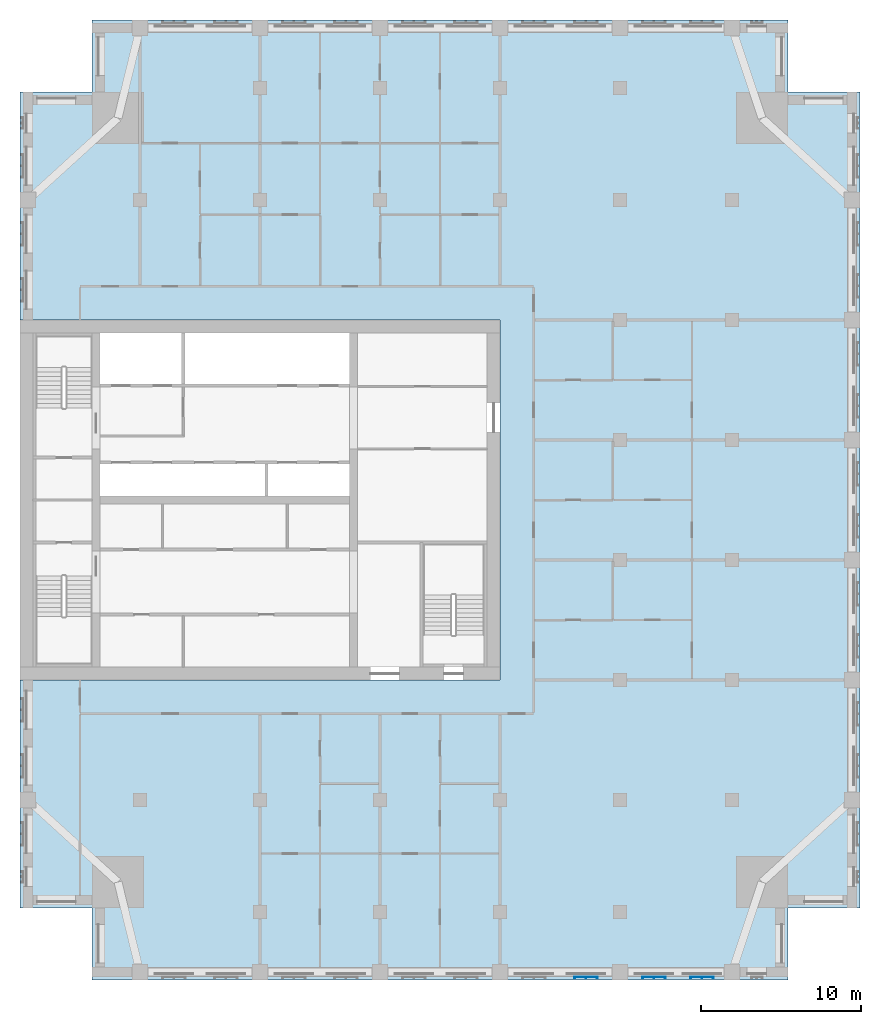
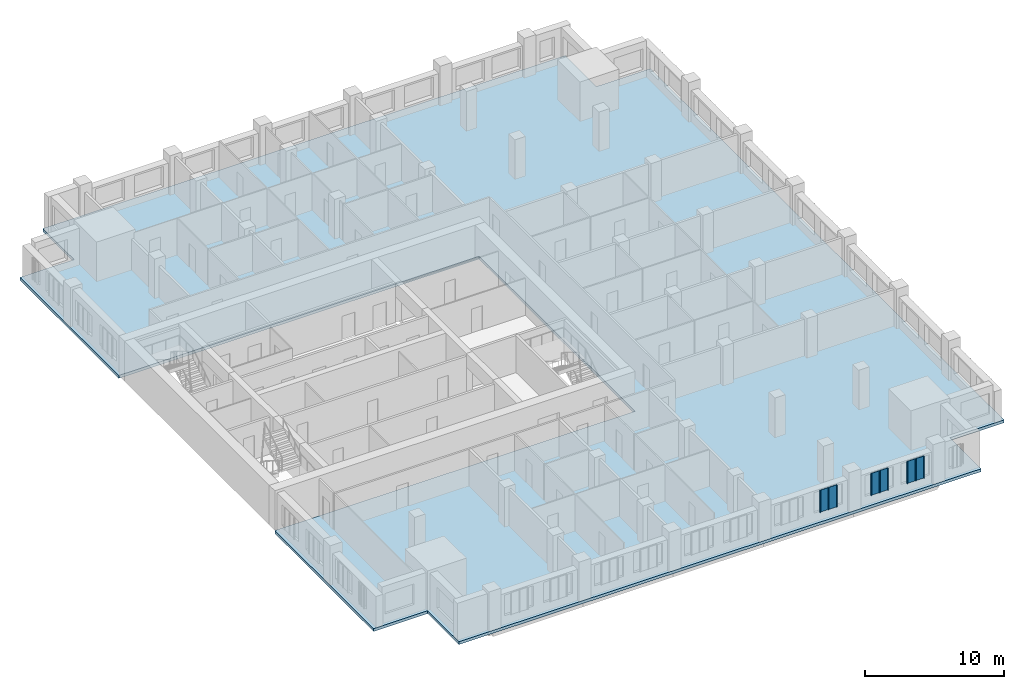
# One storey, part 3 of 14: 3 plates, 1 slab.
"""IFC4 building model written with IfcOpenShell, lengths in metres."""

from ifc_helpers import new_model, si_unit, direction, frame, origin, place, context, subcontext, project, spatial, polyline, outline, extrude, material, layer, layer_set, type_object, element, save


model = new_model("IFC4")

# Units and contexts
model_context = context("Model", 3, precision=1e-05, world=origin(), true_north=direction((0.0, 1.0)))
body_context = subcontext(model_context, "Body", "Model", "MODEL_VIEW")
ifc_project = project(units=[si_unit("LENGTHUNIT", "METRE"), si_unit("AREAUNIT", "SQUARE_METRE"), si_unit("VOLUMEUNIT", "CUBIC_METRE"), si_unit("PLANEANGLEUNIT", "RADIAN"), si_unit("MASSUNIT", "GRAM", prefix="KILO")], contexts=[model_context])

# Site, building, storey
site_placement = place(None, origin())
site = spatial("IfcSite", under=ifc_project, at=site_placement, CompositionType="ELEMENT")
building_placement = place(site_placement, origin())
building = spatial("IfcBuilding", under=site, at=building_placement, Name="Tamorin Gate", CompositionType="ELEMENT")
storey_placement = place(building_placement, frame((0.0, 0.0, 189.699951171875)))
storey = spatial("IfcBuildingStorey", under=building, at=storey_placement, Name="L46", CompositionType="ELEMENT", Elevation=189.699951171875)

# Slab
ifc_material_1 = material(Name="Concrete C40/50", Category="concrete")
ifc_layer_1 = layer(ifc_material_1, 0.25)
ifc_layer_set_1 = layer_set([ifc_layer_1], Name="Floor slab 250 C40/50")
slab_type = type_object("IfcSlabType", Name="Floor slab 250 C40/50", PredefinedType="FLOOR", material=ifc_layer_set_1)
slab_placement = place(storey_placement, frame((0.0, 0.0, -0.25)))
element("IfcSlab", 1, at=slab_placement, inside=storey, type_object=slab_type, Name="Floor L46", PredefinedType="FLOOR", context=body_context, shape_type="SweptSolid", body=[
    extrude(outline(polyline([(30.0, 96.75), (34.5, 96.75), (34.5, 101.25), (78.0, 101.25), (78.0, 96.75), (82.5, 96.75), (82.5, 45.75), (78.0, 45.75), (78.0, 41.25), (34.5, 41.25), (34.5, 45.75), (30.0, 45.75), (30.0, 60.0), (60.0, 60.0), (60.0, 82.5), (30.0, 82.5), (30.0, 96.75)])), origin(), (0.0, 0.0, 1.0), 0.25),
])

# Plates
ifc_material_2 = material(Name="Perforated pale aluminium sheet", Category="aluminium")
ifc_layer_2 = layer(ifc_material_2, 0.0400390625)
ifc_layer_set_2 = layer_set([ifc_layer_2], Name="Pale metal solar screen 1440")
plate_type = type_object("IfcPlateType", Name="Pale metal solar screen 1440", PredefinedType="SHEET", material=ifc_layer_set_2)
plate_1_placement = place(storey_placement, frame((0.0, 0.0, 0.737548828125)))
element("IfcPlate", 2, at=plate_1_placement, inside=storey, type_object=plate_type, Name="Perforated solar screen", PredefinedType="SHEET", context=body_context, shape_type="SweptSolid", body=[
    extrude(outline(polyline([(64.655029296875, 41.409912109375), (64.655029296875, 41.449951171875), (64.715087890625, 41.449951171875), (65.344970703125, 41.449951171875), (65.405029296875, 41.449951171875), (66.034912109375, 41.449951171875), (66.094970703125, 41.449951171875), (66.094970703125, 41.409912109375), (66.094970703125, 41.35009765625), (66.034912109375, 41.35009765625), (66.034912109375, 41.409912109375), (65.405029296875, 41.409912109375), (65.405029296875, 41.35009765625), (65.344970703125, 41.35009765625), (65.344970703125, 41.409912109375), (64.715087890625, 41.409912109375), (64.715087890625, 41.35009765625), (64.655029296875, 41.35009765625), (64.655029296875, 41.409912109375)])), origin(), (0.0, 0.0, 1.0), 1.925048828125),
])
plate_2_placement = place(storey_placement, frame((0.0, 0.0, 0.737548828125)))
element("IfcPlate", 3, at=plate_2_placement, inside=storey, type_object=plate_type, Name="Perforated solar screen", PredefinedType="SHEET", context=body_context, shape_type="SweptSolid", body=[
    extrude(outline(polyline([(68.905029296875, 41.409912109375), (68.905029296875, 41.449951171875), (68.965087890625, 41.449951171875), (69.594970703125, 41.449951171875), (69.655029296875, 41.449951171875), (70.284912109375, 41.449951171875), (70.344970703125, 41.449951171875), (70.344970703125, 41.409912109375), (70.344970703125, 41.35009765625), (70.284912109375, 41.35009765625), (70.284912109375, 41.409912109375), (69.655029296875, 41.409912109375), (69.655029296875, 41.35009765625), (69.594970703125, 41.35009765625), (69.594970703125, 41.409912109375), (68.965087890625, 41.409912109375), (68.965087890625, 41.35009765625), (68.905029296875, 41.35009765625), (68.905029296875, 41.409912109375)])), origin(), (0.0, 0.0, 1.0), 1.925048828125),
])
plate_3_placement = place(storey_placement, frame((0.0, 0.0, 0.737548828125)))
element("IfcPlate", 4, at=plate_3_placement, inside=storey, type_object=plate_type, Name="Perforated solar screen", PredefinedType="SHEET", context=body_context, shape_type="SweptSolid", body=[
    extrude(outline(polyline([(71.905029296875, 41.409912109375), (71.905029296875, 41.449951171875), (71.965087890625, 41.449951171875), (72.594970703125, 41.449951171875), (72.655029296875, 41.449951171875), (73.284912109375, 41.449951171875), (73.344970703125, 41.449951171875), (73.344970703125, 41.409912109375), (73.344970703125, 41.35009765625), (73.284912109375, 41.35009765625), (73.284912109375, 41.409912109375), (72.655029296875, 41.409912109375), (72.655029296875, 41.35009765625), (72.594970703125, 41.35009765625), (72.594970703125, 41.409912109375), (71.965087890625, 41.409912109375), (71.965087890625, 41.35009765625), (71.905029296875, 41.35009765625), (71.905029296875, 41.409912109375)])), origin(), (0.0, 0.0, 1.0), 1.925048828125),
])

save(model, "model.ifc")
